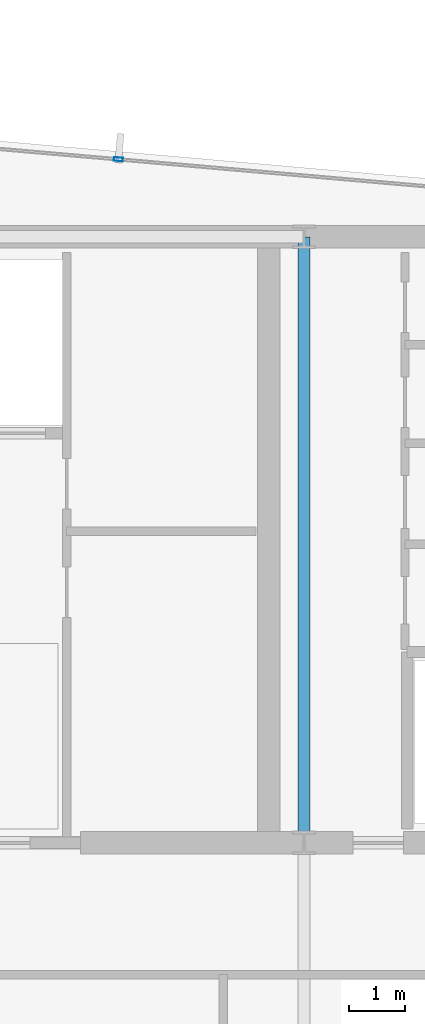
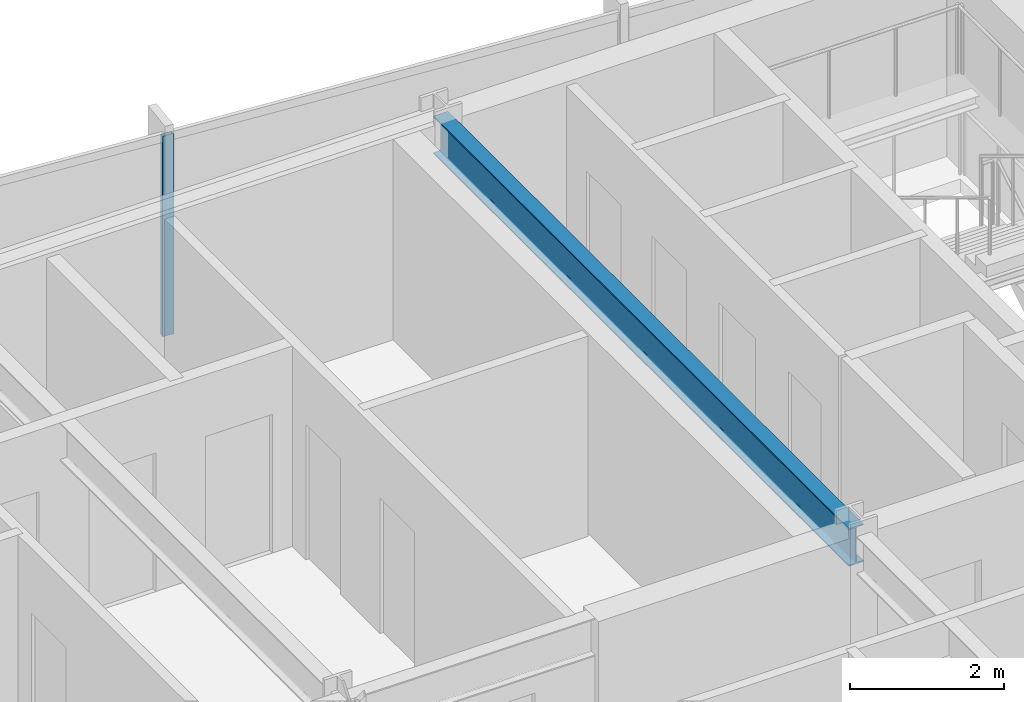
# One storey, part 19 of 32: 1 beam, 1 member, 1 element without a shape of its own.
"""IFC4 building model written with IfcOpenShell, lengths in metres."""

from ifc_helpers import new_model, si_unit, direction, frame, origin, origin_2d, place, context, subcontext, project, spatial, hollow_rectangle, i_section, extrude, material, material_profile, profile_set, type_object, element, aggregate, save


model = new_model("IFC4")

# Units and contexts
model_context = context("Model", 3, precision=1e-05, world=origin(), true_north=direction((0.0, 1.0)))
body_context = subcontext(model_context, "Body", "Model", "MODEL_VIEW")
ifc_project = project(units=[si_unit("LENGTHUNIT", "METRE"), si_unit("AREAUNIT", "SQUARE_METRE"), si_unit("VOLUMEUNIT", "CUBIC_METRE"), si_unit("PLANEANGLEUNIT", "RADIAN"), si_unit("MASSUNIT", "GRAM", prefix="KILO")], contexts=[model_context])

# Site, building, storey
site_placement = place(None, origin())
site = spatial("IfcSite", under=ifc_project, at=site_placement, CompositionType="ELEMENT")
building_placement = place(site_placement, origin())
building = spatial("IfcBuilding", under=site, at=building_placement, Name="Yelkora Congress Tower", CompositionType="ELEMENT")
storey_placement = place(building_placement, frame((0.0, 0.0, 293.10009765625)))
storey = spatial("IfcBuildingStorey", under=building, at=storey_placement, Name="L82", CompositionType="ELEMENT", Elevation=293.10009765625)

# Beam
ifc_material_1 = material(Name="Steel S355J2", Category="steel")
ifc_material_profile_1 = material_profile(ifc_material_1, i_section(OverallWidth=0.219970703125, OverallDepth=0.60009765625, WebThickness=0.011962890625, FlangeThickness=0.01904296875, FilletRadius=0.02392578125, at=origin_2d()), Name="IPE 600")
ifc_profile_set_1 = profile_set([ifc_material_profile_1], Name="Steel S355J2")
beam_type = type_object("IfcBeamType", Name="BM-GIRD-IPE600", PredefinedType="BEAM", material=ifc_profile_set_1)
beam_placement = place(storey_placement, frame((46.080078125, 35.39990234375, 2.8798828125), z_axis=(0.0, 1.0, 0.0), x_axis=(-1.0, 0.0, 0.0)))
element("IfcBeam", 1, at=beam_placement, inside=storey, type_object=beam_type, Name="L82 Core Tie Girder MC-S4", PredefinedType="BEAM", context=body_context, shape_type="SweptSolid", body=[
    extrude(i_section(OverallWidth=0.219970703125, OverallDepth=0.60009765625, WebThickness=0.011962890625, FlangeThickness=0.01904296875, FilletRadius=0.02392578125, at=origin_2d()), origin(), (0.0, 0.0, 1.0), 10.800048828125),
])

# Curtain wall, member
ifc_material_2 = material(Name="Anodised aluminium and insulated glass", Category="aluminium")
curtain_wall_type = type_object("IfcCurtainWallType", Name="CW-SYS-B5", PredefinedType="NOTDEFINED", material=ifc_material_2)
curtain_wall_placement = place(storey_placement, origin())
curtain_wall = element("IfcCurtainWall", 2, at=curtain_wall_placement, inside=storey, type_object=curtain_wall_type, Name="L82 Unitised Curtain Wall 10", PredefinedType="NOTDEFINED")
ifc_material_3 = material(Name="Anodised aluminium 6063-T6", Category="aluminium")
ifc_material_profile_2 = material_profile(ifc_material_3, hollow_rectangle(XDim=0.06494140625, YDim=0.159912109375, WallThickness=0.00390625, at=origin_2d()), Name="ALU 65x160x4")
ifc_profile_set_2 = profile_set([ifc_material_profile_2], Name="Anodised aluminium 6063-T6")
member_type = type_object("IfcMemberType", Name="MEM-ML-B5", PredefinedType="MULLION", material=ifc_profile_set_2)
member_placement = place(storey_placement, frame((42.77294921875, 47.58154296875, 0.0), z_axis=(0.0, 0.0, 1.0), x_axis=(0.087156639893, 0.996194619601, 0.0)))
member = element("IfcMember", 3, at=member_placement, type_object=member_type, Name="CW-B5 mullion 6", PredefinedType="MULLION", context=body_context, shape_type="SweptSolid", body=[
    extrude(hollow_rectangle(XDim=0.06494140625, YDim=0.159912109375, WallThickness=0.00390625, at=origin_2d()), origin(), (0.0, 0.0, 1.0), 3.179931640625),
])
aggregate(curtain_wall, [member])

save(model, "model.ifc")
